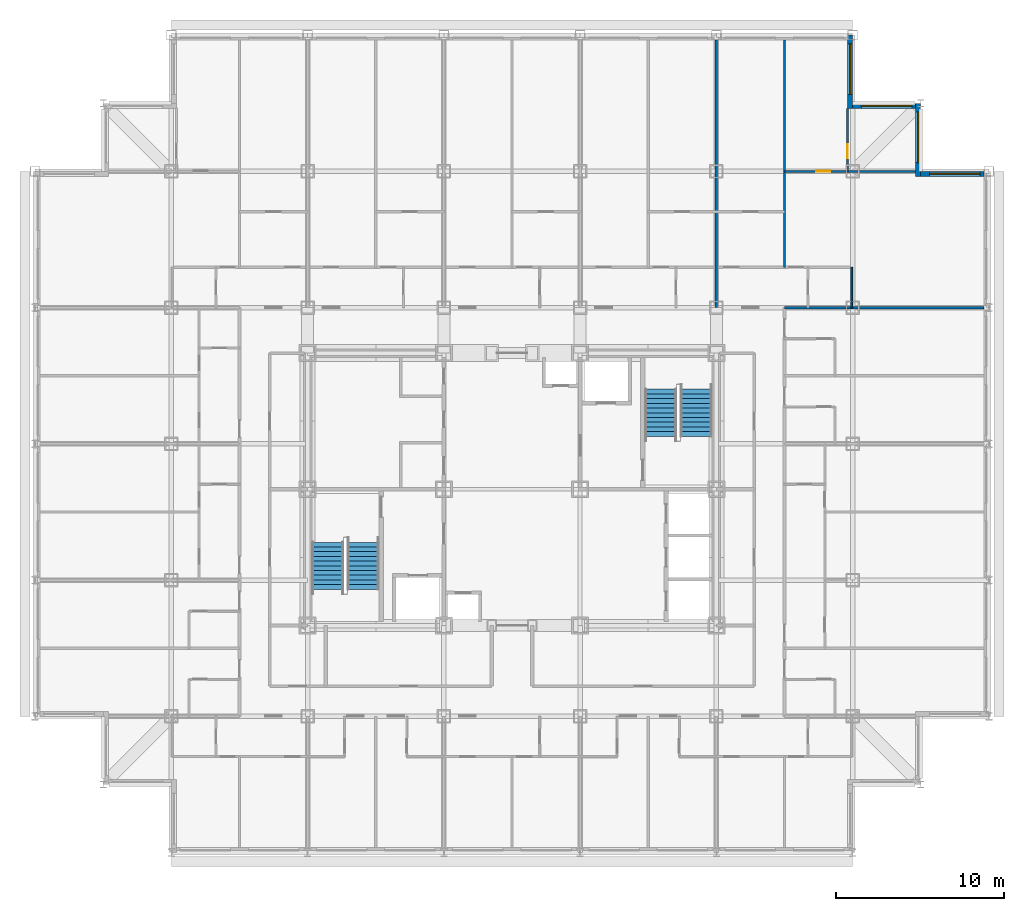
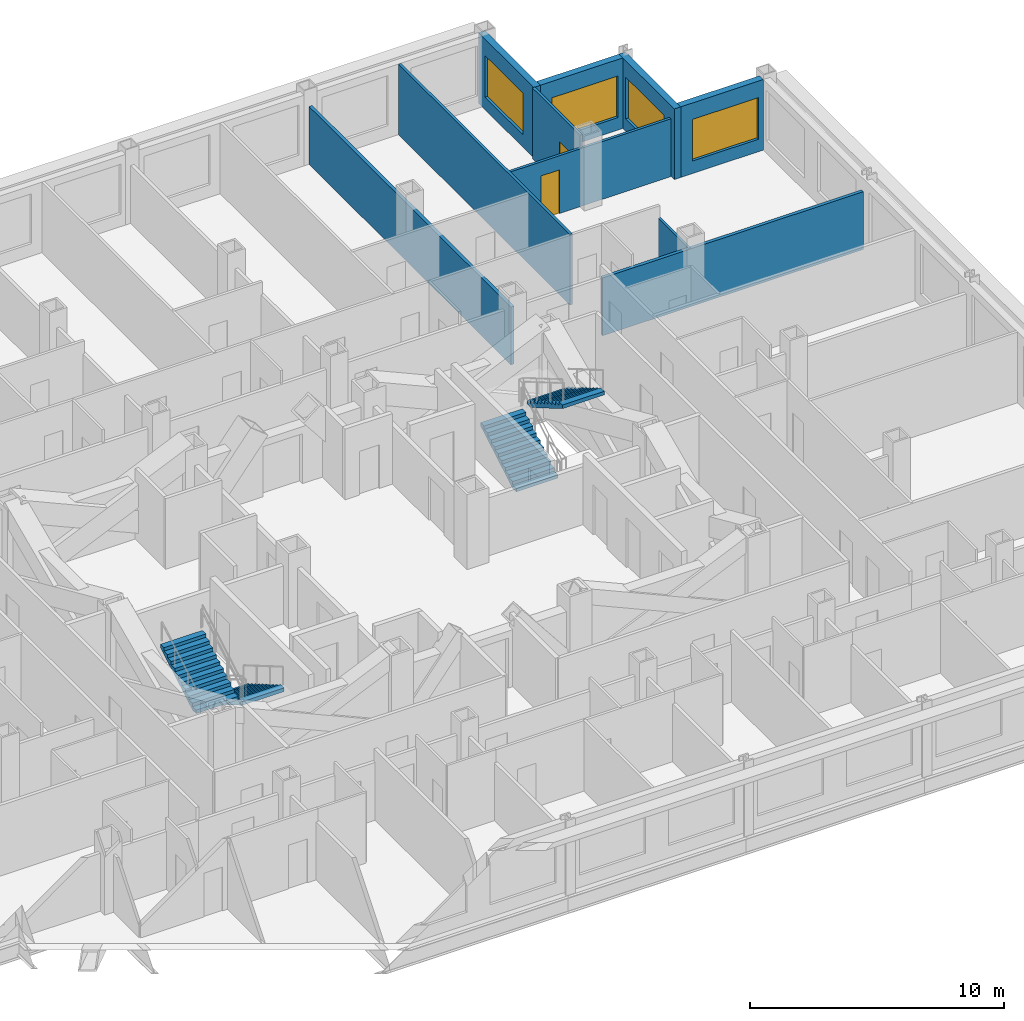
# One storey, part 11 of 12: 10 walls, 4 stair flights, 4 windows, 2 doors, 6 openings, 2 elements without a shape of their own.
"""IFC4 building model written with IfcOpenShell, lengths in metres."""

from ifc_helpers import new_model, si_unit, direction, frame, frame_2d, origin, place, context, subcontext, project, spatial, rectangle, extrude, polygons, source, transform, mapped, material, layer, layer_set, type_object, element, fill, aggregate, save


model = new_model("IFC4")

# Units and contexts
model_context = context("Model", 3, precision=1e-05, world=origin(), true_north=direction((0.0, 1.0)))
body_context = subcontext(model_context, "Body", "Model", "MODEL_VIEW")
ifc_project = project(units=[si_unit("LENGTHUNIT", "METRE"), si_unit("AREAUNIT", "SQUARE_METRE"), si_unit("VOLUMEUNIT", "CUBIC_METRE"), si_unit("PLANEANGLEUNIT", "RADIAN"), si_unit("MASSUNIT", "GRAM", prefix="KILO")], contexts=[model_context])

# Site, building, storey
site_placement = place(None, origin())
site = spatial("IfcSite", under=ifc_project, at=site_placement, CompositionType="ELEMENT")
building_placement = place(site_placement, origin())
building = spatial("IfcBuilding", under=site, at=building_placement, Name="Kopane Lantern Tower", CompositionType="ELEMENT")
storey_placement = place(building_placement, frame((0.0, 0.0, 170.39990234375)))
storey = spatial("IfcBuildingStorey", under=building, at=storey_placement, Name="L43", CompositionType="ELEMENT", Elevation=170.39990234375)

# Wall
ifc_material_1 = material(Name="Gypsum board on steel studs", Category="steel")
ifc_layer_1 = layer(ifc_material_1, 0.1201171875)
ifc_layer_set_1 = layer_set([ifc_layer_1], Name="APARTMENT INTERNAL WALL 120")
wall_type_1 = type_object("IfcWallType", Name="APARTMENT INTERNAL WALL 120", PredefinedType="PARTITIONING", material=ifc_layer_set_1)
wall_1_placement = place(storey_placement, frame((44.550048828125, 45.60009765625, 0.0), z_axis=(0.0, 0.0, 1.0), x_axis=(0.0, 1.0, 0.0)))
element("IfcWall", 1, at=wall_1_placement, inside=storey, type_object=wall_type_1, Name="Apartment Internal Wall 120 L43", PredefinedType="PARTITIONING", context=body_context, shape_type="SweptSolid", body=[
    extrude(rectangle(XDim=13.5, YDim=0.1201171875, at=frame_2d((6.75, 0.0))), origin(), (0.0, 0.0, 1.0), 3.39013671875),
])

# Wall, opening, door
wall_2_placement = place(storey_placement, frame((44.550048828125, 51.300048828125, 0.0), z_axis=(0.0, 0.0, 1.0), x_axis=(1.0, 0.0, 0.0)))
wall_2 = element("IfcWall", 2, at=wall_2_placement, inside=storey, type_object=wall_type_1, Name="Apartment Internal Wall 120 L43", PredefinedType="PARTITIONING", context=body_context, shape_type="SweptSolid", body=[
    extrude(rectangle(XDim=7.800048828125, YDim=0.1201171875, at=frame_2d((3.89990234375, 0.0))), origin(), (0.0, 0.0, 1.0), 2.77783203125),
])
opening_1_placement = place(wall_2_placement, frame((1.875, 0.0, 0.0)))
opening_1 = element("IfcOpeningElement", 3, at=opening_1_placement, cuts=wall_2, Name="Opening L43-066", PredefinedType="OPENING", context=body_context, shape_type="SweptSolid", body=[
    extrude(rectangle(XDim=0.85009765625, YDim=2.10009765625, at=frame_2d((0.425048828125, 1.050048828125))), frame((0.0, 0.070068359375, 0.0), z_axis=(0.0, -1.0, 0.0), x_axis=(1.0, 0.0, 0.0)), (0.0, 0.0, 1.0), 0.14013671875),
])
ifc_material_2 = material(Name="Timber door set", Category="wood")
door_type = type_object("IfcDoorType", Name="DOOR D4 850x2100", OperationType="SINGLE_SWING_LEFT", PredefinedType="DOOR", material=ifc_material_2)
door_1_placement = place(opening_1_placement, origin())
door_1 = element("IfcDoor", 4, at=door_1_placement, inside=storey, type_object=door_type, Name="Door L43-066", OperationType="SINGLE_SWING_RIGHT", OverallHeight=2.10009765625, OverallWidth=0.85009765625, PredefinedType="DOOR", context=body_context, shape_type="SweptSolid", body=[
    extrude(rectangle(XDim=0.85009765625, YDim=2.10009765625, at=frame_2d((0.425048828125, 1.050048828125))), frame((0.0, 0.02490234375, 0.0), z_axis=(0.0, -1.0, 0.0), x_axis=(1.0, 0.0, 0.0)), (0.0, 0.0, 1.0), 0.050048828125),
])
fill(opening_1, door_1)

wall_3_placement = place(storey_placement, frame((48.300048828125, 51.300048828125, 0.0), z_axis=(0.0, 0.0, 1.0), x_axis=(0.0, 1.0, 0.0)))
wall_3 = element("IfcWall", 5, at=wall_3_placement, inside=storey, type_object=wall_type_1, Name="Apartment Internal Wall 120 L43", PredefinedType="PARTITIONING", context=body_context, shape_type="SweptSolid", body=[
    extrude(rectangle(XDim=3.75, YDim=0.1201171875, at=frame_2d((1.875, 0.0))), origin(), (0.0, 0.0, 1.0), 3.39013671875),
])
opening_2_placement = place(wall_3_placement, frame((0.77490234375, 0.0, 0.0)))
opening_2 = element("IfcOpeningElement", 6, at=opening_2_placement, cuts=wall_3, Name="Opening L43-072", PredefinedType="OPENING", context=body_context, shape_type="SweptSolid", body=[
    extrude(rectangle(XDim=0.85009765625, YDim=2.10009765625, at=frame_2d((0.425048828125, 1.050048828125))), frame((0.0, 0.070068359375, 0.0), z_axis=(0.0, -1.0, 0.0), x_axis=(1.0, 0.0, 0.0)), (0.0, 0.0, 1.0), 0.14013671875),
])
door_2_placement = place(opening_2_placement, origin())
door_2 = element("IfcDoor", 7, at=door_2_placement, inside=storey, type_object=door_type, Name="Door L43-072", OperationType="SINGLE_SWING_RIGHT", OverallHeight=2.10009765625, OverallWidth=0.85009765625, PredefinedType="DOOR", context=body_context, shape_type="SweptSolid", body=[
    extrude(rectangle(XDim=0.85009765625, YDim=2.10009765625, at=frame_2d((0.425048828125, 1.050048828125))), frame((0.0, 0.02490234375, 0.0), z_axis=(0.0, -1.0, 0.0), x_axis=(1.0, 0.0, 0.0)), (0.0, 0.0, 1.0), 0.050048828125),
])
fill(opening_2, door_2)

# Walls
ifc_material_3 = material(Name="Moisture-resistant board on steel studs", Category="steel")
ifc_layer_2 = layer(ifc_material_3, 0.10009765625)
ifc_layer_set_2 = layer_set([ifc_layer_2], Name="BATHROOM WALL 100")
wall_type_2 = type_object("IfcWallType", Name="BATHROOM WALL 100", PredefinedType="PARTITIONING", material=ifc_layer_set_2)
wall_4_placement = place(storey_placement, frame((48.550048828125, 43.199951171875, 0.0), z_axis=(0.0, 0.0, 1.0), x_axis=(0.0, 1.0, 0.0)))
element("IfcWall", 8, at=wall_4_placement, inside=storey, type_object=wall_type_2, Name="Bathroom Wall 100 L43", PredefinedType="PARTITIONING", context=body_context, shape_type="SweptSolid", body=[
    extrude(rectangle(XDim=2.400146484375, YDim=0.10009765625, at=frame_2d((1.2001953125, 0.0))), origin(), (0.0, 0.0, 1.0), 2.77783203125),
])
ifc_material_4 = material(Name="Gypsum board on steel studs", Category="steel")
ifc_layer_3 = layer(ifc_material_4, 0.14990234375)
ifc_layer_set_3 = layer_set([ifc_layer_3], Name="DEMISING WALL 150 EI 60")
wall_type_3 = type_object("IfcWallType", Name="DEMISING WALL 150 EI 60", PredefinedType="PARTITIONING", material=ifc_layer_set_3)
wall_5_placement = place(storey_placement, frame((44.550048828125, 43.199951171875, 0.0), z_axis=(0.0, 0.0, 1.0), x_axis=(1.0, 0.0, 0.0)))
element("IfcWall", 9, at=wall_5_placement, inside=storey, type_object=wall_type_3, Name="Demising Wall 150 Ei 60 L43", PredefinedType="PARTITIONING", context=body_context, shape_type="SweptSolid", body=[
    extrude(rectangle(XDim=11.849853515625, YDim=0.14990234375, at=frame_2d((5.9248046875, 0.0))), origin(), (0.0, 0.0, 1.0), 2.77783203125),
])
wall_6_placement = place(storey_placement, frame((40.5, 43.199951171875, 0.0), z_axis=(0.0, 0.0, 1.0), x_axis=(0.0, 1.0, 0.0)))
element("IfcWall", 10, at=wall_6_placement, inside=storey, type_object=wall_type_3, Name="Demising Wall 150 Ei 60 L43", PredefinedType="PARTITIONING", context=body_context, shape_type="SweptSolid", body=[
    extrude(rectangle(XDim=15.900146484375, YDim=0.14990234375, at=frame_2d((7.9501953125, 0.0))), origin(), (0.0, 0.0, 1.0), 2.77783203125),
])

# Wall, opening, window
ifc_material_5 = material(Name="Terracotta rainscreen on light steel framing", Category="masonry")
ifc_layer_4 = layer(ifc_material_5, 0.300048828125)
ifc_layer_set_4 = layer_set([ifc_layer_4], Name="EXTERNAL WALL EW1 300 TERRACOTTA")
wall_type_4 = type_object("IfcWallType", Name="EXTERNAL WALL EW1 300 TERRACOTTA", PredefinedType="SOLIDWALL", material=ifc_layer_set_4)
wall_7_placement = place(storey_placement, frame((56.39990234375, 51.14990234375, 0.0), z_axis=(0.0, 0.0, 1.0), x_axis=(-1.0, 0.0, 0.0)))
wall_7 = element("IfcWall", 11, at=wall_7_placement, inside=storey, type_object=wall_type_4, Name="External wall N L43", PredefinedType="SOLIDWALL", context=body_context, shape_type="SweptSolid", body=[
    extrude(rectangle(XDim=3.75, YDim=0.300048828125, at=frame_2d((1.875, 0.0))), origin(), (0.0, 0.0, 1.0), 3.39013671875),
])
opening_3_placement = place(wall_7_placement, frame((0.22509765625, 0.0, 0.60009765625)))
opening_3 = element("IfcOpeningElement", 12, at=opening_3_placement, cuts=wall_7, Name="Opening WR300200", PredefinedType="OPENING", context=body_context, shape_type="SweptSolid", body=[
    extrude(rectangle(XDim=3.0, YDim=2.0, at=frame_2d((1.5, 1.0))), frame((0.0, 0.159912109375, 0.0), z_axis=(0.0, -1.0, 0.0), x_axis=(1.0, 0.0, 0.0)), (0.0, 0.0, 1.0), 0.320068359375),
])
ifc_material_6 = material(Name="Aluminium and clear glass", Category="aluminium")
window_type = type_object("IfcWindowType", Name="RIBBON WINDOW WR300200 3000x2000", PartitioningType="SINGLE_PANEL", PredefinedType="WINDOW", material=ifc_material_6)
window_1_placement = place(opening_3_placement, origin())
window_1 = element("IfcWindow", 13, at=window_1_placement, inside=storey, type_object=window_type, Name="Window N L43", OverallHeight=2.0, OverallWidth=3.0, PartitioningType="SINGLE_PANEL", PredefinedType="WINDOW", context=body_context, shape_type="SweptSolid", body=[
    extrude(rectangle(XDim=3.0, YDim=2.0, at=frame_2d((1.5, 1.0))), frame((0.0, 0.030029296875, 0.0), z_axis=(0.0, -1.0, 0.0), x_axis=(1.0, 0.0, 0.0)), (0.0, 0.0, 1.0), 0.06005859375),
])
fill(opening_3, window_1)

wall_8_placement = place(storey_placement, frame((52.5, 51.0, 0.0), z_axis=(0.0, 0.0, 1.0), x_axis=(0.0, 1.0, 0.0)))
wall_8 = element("IfcWall", 14, at=wall_8_placement, inside=storey, type_object=wall_type_4, Name="External wall E L43", PredefinedType="SOLIDWALL", context=body_context, shape_type="SweptSolid", body=[
    extrude(rectangle(XDim=4.35009765625, YDim=0.300048828125, at=frame_2d((2.175048828125, 0.0))), origin(), (0.0, 0.0, 1.0), 3.39013671875),
])
opening_4_placement = place(wall_8_placement, frame((0.824951171875, 0.0, 0.60009765625)))
opening_4 = element("IfcOpeningElement", 15, at=opening_4_placement, cuts=wall_8, Name="Opening WR300200", PredefinedType="OPENING", context=body_context, shape_type="SweptSolid", body=[
    extrude(rectangle(XDim=3.0, YDim=2.0, at=frame_2d((1.5, 1.0))), frame((0.0, 0.159912109375, 0.0), z_axis=(0.0, -1.0, 0.0), x_axis=(1.0, 0.0, 0.0)), (0.0, 0.0, 1.0), 0.320068359375),
])
window_2_placement = place(opening_4_placement, origin())
window_2 = element("IfcWindow", 16, at=window_2_placement, inside=storey, type_object=window_type, Name="Window E L43", OverallHeight=2.0, OverallWidth=3.0, PartitioningType="SINGLE_PANEL", PredefinedType="WINDOW", context=body_context, shape_type="SweptSolid", body=[
    extrude(rectangle(XDim=3.0, YDim=2.0, at=frame_2d((1.5, 1.0))), frame((0.0, 0.030029296875, 0.0), z_axis=(0.0, -1.0, 0.0), x_axis=(1.0, 0.0, 0.0)), (0.0, 0.0, 1.0), 0.06005859375),
])
fill(opening_4, window_2)

wall_9_placement = place(storey_placement, frame((52.35009765625, 55.199951171875, 0.0), z_axis=(0.0, 0.0, 1.0), x_axis=(-1.0, 0.0, 0.0)))
wall_9 = element("IfcWall", 17, at=wall_9_placement, inside=storey, type_object=wall_type_4, Name="External wall N L43", PredefinedType="SOLIDWALL", context=body_context, shape_type="SweptSolid", body=[
    extrude(rectangle(XDim=3.75, YDim=0.300048828125, at=frame_2d((1.875, 0.0))), origin(), (0.0, 0.0, 1.0), 3.39013671875),
])
opening_5_placement = place(wall_9_placement, frame((0.22509765625, 0.0, 0.60009765625)))
opening_5 = element("IfcOpeningElement", 18, at=opening_5_placement, cuts=wall_9, Name="Opening WR300200", PredefinedType="OPENING", context=body_context, shape_type="SweptSolid", body=[
    extrude(rectangle(XDim=3.0, YDim=2.0, at=frame_2d((1.5, 1.0))), frame((0.0, 0.159912109375, 0.0), z_axis=(0.0, -1.0, 0.0), x_axis=(1.0, 0.0, 0.0)), (0.0, 0.0, 1.0), 0.320068359375),
])
window_3_placement = place(opening_5_placement, origin())
window_3 = element("IfcWindow", 19, at=window_3_placement, inside=storey, type_object=window_type, Name="Window N L43", OverallHeight=2.0, OverallWidth=3.0, PartitioningType="SINGLE_PANEL", PredefinedType="WINDOW", context=body_context, shape_type="SweptSolid", body=[
    extrude(rectangle(XDim=3.0, YDim=2.0, at=frame_2d((1.5, 1.0))), frame((0.0, 0.030029296875, 0.0), z_axis=(0.0, -1.0, 0.0), x_axis=(1.0, 0.0, 0.0)), (0.0, 0.0, 1.0), 0.06005859375),
])
fill(opening_5, window_3)

wall_10_placement = place(storey_placement, frame((48.449951171875, 55.050048828125, 0.0), z_axis=(0.0, 0.0, 1.0), x_axis=(0.0, 1.0, 0.0)))
wall_10 = element("IfcWall", 20, at=wall_10_placement, inside=storey, type_object=wall_type_4, Name="External wall E L43", PredefinedType="SOLIDWALL", context=body_context, shape_type="SweptSolid", body=[
    extrude(rectangle(XDim=4.349853515625, YDim=0.300048828125, at=frame_2d((2.1748046875, 0.0))), origin(), (0.0, 0.0, 1.0), 3.39013671875),
])
opening_6_placement = place(wall_10_placement, frame((0.824951171875, 0.0, 0.60009765625)))
opening_6 = element("IfcOpeningElement", 21, at=opening_6_placement, cuts=wall_10, Name="Opening WR300200", PredefinedType="OPENING", context=body_context, shape_type="SweptSolid", body=[
    extrude(rectangle(XDim=3.0, YDim=2.0, at=frame_2d((1.5, 1.0))), frame((0.0, 0.159912109375, 0.0), z_axis=(0.0, -1.0, 0.0), x_axis=(1.0, 0.0, 0.0)), (0.0, 0.0, 1.0), 0.320068359375),
])
window_4_placement = place(opening_6_placement, origin())
window_4 = element("IfcWindow", 22, at=window_4_placement, inside=storey, type_object=window_type, Name="Window E L43", OverallHeight=2.0, OverallWidth=3.0, PartitioningType="SINGLE_PANEL", PredefinedType="WINDOW", context=body_context, shape_type="SweptSolid", body=[
    extrude(rectangle(XDim=3.0, YDim=2.0, at=frame_2d((1.5, 1.0))), frame((0.0, 0.030029296875, 0.0), z_axis=(0.0, -1.0, 0.0), x_axis=(1.0, 0.0, 0.0)), (0.0, 0.0, 1.0), 0.06005859375),
])
fill(opening_6, window_4)

# Stair, stair flights
ifc_material_7 = material(Name="Steel S355JR", Category="steel")
stair_type = type_object("IfcStairType", Name="EXIT STAIR 1900 HALF TURN", PredefinedType="HALF_TURN_STAIR", material=ifc_material_7)
stair_1_placement = place(storey_placement, origin())
stair_1 = element("IfcStair", 23, at=stair_1_placement, inside=storey, type_object=stair_type, Name="Exit stair ST1 L43", PredefinedType="HALF_TURN_STAIR")
ifc_material_8 = material(Name="Steel S355JR", Category="steel")
stair_flight_type = type_object("IfcStairFlightType", Name="STAIR FLIGHT 1900 STEEL", PredefinedType="STRAIGHT", material=ifc_material_8)
shared_shape = source(origin(), body_context, "Body", "Tessellation", [
    polygons([(2.800048828, 0.949951172, 1.636474609), (2.520019531, 0.949951172, 1.636474609), (2.520019531, -0.949951172, 1.636474609), (2.800048828, -0.949951172, 1.636474609), (0.297119141, 0.949951172, 0.0), (2.800048828, 0.949951172, 1.462646484), (2.800048828, -0.949951172, 1.462646484), (0.297119141, -0.949951172, 0.0), (0.0, 0.949951172, 0.0), (0.0, -0.949951172, 0.0), (0.280029297, 0.949951172, 0.163574219), (0.0, 0.949951172, 0.163574219), (0.0, -0.949951172, 0.163574219), (0.280029297, -0.949951172, 0.163574219), (0.280029297, 0.949951172, 0.327392578), (0.280029297, -0.949951172, 0.327392578), (0.560058594, 0.949951172, 0.327392578), (0.560058594, -0.949951172, 0.327392578), (0.560058594, 0.949951172, 0.490966797), (0.560058594, -0.949951172, 0.490966797), (0.840087891, 0.949951172, 0.490966797), (0.840087891, -0.949951172, 0.490966797), (0.840087891, 0.949951172, 0.654541016), (0.840087891, -0.949951172, 0.654541016), (1.120117188, 0.949951172, 0.654541016), (1.120117188, -0.949951172, 0.654541016), (1.120117188, 0.949951172, 0.818115234), (1.120117188, -0.949951172, 0.818115234), (1.399902344, 0.949951172, 0.818115234), (1.399902344, -0.949951172, 0.818115234), (1.399902344, 0.949951172, 0.981933594), (1.399902344, -0.949951172, 0.981933594), (1.679931641, 0.949951172, 0.981933594), (1.679931641, -0.949951172, 0.981933594), (1.679931641, 0.949951172, 1.145507812), (1.679931641, -0.949951172, 1.145507812), (1.959960938, 0.949951172, 1.145507812), (1.959960938, -0.949951172, 1.145507812), (1.959960938, 0.949951172, 1.309082031), (1.959960938, -0.949951172, 1.309082031), (2.239990234, 0.949951172, 1.309082031), (2.239990234, -0.949951172, 1.309082031), (2.239990234, 0.949951172, 1.47265625), (2.239990234, -0.949951172, 1.47265625), (2.520019531, 0.949951172, 1.47265625), (2.520019531, -0.949951172, 1.47265625), (0.0, 0.0, 0.004420925), (0.0, 0.0, 0.00884185), (0.0, 0.0, 0.013262774), (0.0, 0.0, 0.017683699), (0.0, 0.0, 0.022104624), (0.0, 0.0, 0.026525549), (0.0, 0.0, 0.030946474), (0.0, 0.0, 0.035367399), (0.0, 0.0, 0.039788323), (0.0, 0.0, 0.044209248), (0.0, 0.0, 0.048630173), (0.0, 0.0, 0.053051098), (0.0, 0.0, 0.057472023), (0.0, 0.0, 0.061892948), (0.0, 0.0, 0.066313872), (0.0, 0.0, 0.070734797), (0.0, 0.0, 0.075155722), (0.0, 0.0, 0.079576647), (0.0, 0.0, 0.083997572), (0.0, 0.0, 0.088418497), (0.0, 0.0, 0.092839421), (0.0, 0.0, 0.097260346), (0.0, 0.0, 0.101681271), (0.0, 0.0, 0.106102196), (0.0, 0.0, 0.110523121), (0.0, 0.0, 0.114944046), (0.0, 0.0, 0.11936497), (0.0, 0.0, 0.123785895), (0.0, 0.0, 0.12820682), (0.0, 0.0, 0.132627745), (0.0, 0.0, 0.13704867), (0.0, 0.0, 0.141469595), (0.0, 0.0, 0.145890519), (0.0, 0.0, 0.150311444), (0.0, 0.0, 0.154732369), (0.0, 0.0, 0.159153294), (2.800048828, 0.0, 1.467344542), (2.800048828, 0.0, 1.472042599), (2.800048828, 0.0, 1.476740657), (2.800048828, 0.0, 1.481438714), (2.800048828, 0.0, 1.486136772), (2.800048828, 0.0, 1.490834829), (2.800048828, 0.0, 1.495532886), (2.800048828, 0.0, 1.500230944), (2.800048828, 0.0, 1.504929001), (2.800048828, 0.0, 1.509627059), (2.800048828, 0.0, 1.514325116), (2.800048828, 0.0, 1.519023174), (2.800048828, 0.0, 1.523721231), (2.800048828, 0.0, 1.528419288), (2.800048828, 0.0, 1.533117346), (2.800048828, 0.0, 1.537815403), (2.800048828, 0.0, 1.542513461), (2.800048828, 0.0, 1.547211518), (2.800048828, 0.0, 1.551909576), (2.800048828, 0.0, 1.556607633), (2.800048828, 0.0, 1.56130569), (2.800048828, 0.0, 1.566003748), (2.800048828, 0.0, 1.570701805), (2.800048828, 0.0, 1.575399863), (2.800048828, 0.0, 1.58009792), (2.800048828, 0.0, 1.584795978), (2.800048828, 0.0, 1.589494035), (2.800048828, 0.0, 1.594192092), (2.800048828, 0.0, 1.59889015), (2.800048828, 0.0, 1.603588207), (2.800048828, 0.0, 1.608286265), (2.800048828, 0.0, 1.612984322), (2.800048828, 0.0, 1.61768238), (2.800048828, 0.0, 1.622380437), (2.800048828, 0.0, 1.627078495), (2.800048828, 0.0, 1.631776552)], [[[1, 2, 3]], [[1, 3, 4]], [[5, 6, 7]], [[5, 7, 8]], [[9, 5, 8]], [[9, 8, 10]], [[11, 12, 13]], [[11, 13, 14]], [[15, 11, 14]], [[15, 14, 16]], [[17, 15, 16]], [[17, 16, 18]], [[19, 17, 18]], [[19, 18, 20]], [[21, 19, 20]], [[21, 20, 22]], [[23, 21, 22]], [[23, 22, 24]], [[25, 23, 24]], [[25, 24, 26]], [[27, 25, 26]], [[27, 26, 28]], [[29, 27, 28]], [[29, 28, 30]], [[31, 29, 30]], [[31, 30, 32]], [[33, 31, 32]], [[33, 32, 34]], [[35, 33, 34]], [[35, 34, 36]], [[37, 35, 36]], [[37, 36, 38]], [[39, 37, 38]], [[39, 38, 40]], [[41, 39, 40]], [[41, 40, 42]], [[43, 41, 42]], [[43, 42, 44]], [[45, 43, 44]], [[45, 44, 46]], [[2, 45, 46]], [[2, 46, 3]], [[45, 1, 6]], [[41, 45, 6]], [[2, 1, 45]], [[37, 41, 6]], [[43, 45, 41]], [[39, 41, 37]], [[35, 37, 33]], [[31, 33, 29]], [[27, 29, 25]], [[5, 21, 25]], [[17, 21, 5]], [[23, 25, 21]], [[11, 17, 5]], [[19, 21, 17]], [[9, 11, 5]], [[15, 17, 11]], [[12, 11, 9]], [[6, 5, 25]], [[6, 25, 29]], [[6, 29, 33]], [[6, 33, 37]], [[7, 4, 46]], [[7, 46, 42]], [[46, 4, 3]], [[7, 42, 38]], [[42, 46, 44]], [[38, 42, 40]], [[34, 38, 36]], [[30, 34, 32]], [[26, 30, 28]], [[26, 22, 8]], [[8, 22, 18]], [[22, 26, 24]], [[8, 18, 14]], [[18, 22, 20]], [[8, 14, 10]], [[14, 18, 16]], [[10, 14, 13]], [[26, 8, 7]], [[30, 26, 7]], [[34, 30, 7]], [[38, 34, 7]], [[10, 47, 9]], [[10, 48, 47]], [[9, 47, 48]], [[10, 49, 48]], [[9, 48, 49]], [[10, 50, 49]], [[9, 49, 50]], [[10, 51, 50]], [[9, 50, 51]], [[10, 52, 51]], [[9, 51, 52]], [[10, 53, 52]], [[9, 52, 53]], [[10, 54, 53]], [[9, 53, 54]], [[10, 55, 54]], [[9, 54, 55]], [[10, 56, 55]], [[9, 55, 56]], [[10, 57, 56]], [[9, 56, 57]], [[10, 58, 57]], [[9, 57, 58]], [[10, 59, 58]], [[9, 58, 59]], [[10, 60, 59]], [[9, 59, 60]], [[10, 61, 60]], [[9, 60, 61]], [[10, 62, 61]], [[9, 61, 62]], [[10, 63, 62]], [[9, 62, 63]], [[10, 64, 63]], [[9, 63, 64]], [[10, 65, 64]], [[9, 64, 65]], [[10, 66, 65]], [[9, 65, 66]], [[10, 67, 66]], [[9, 66, 67]], [[10, 68, 67]], [[9, 67, 68]], [[10, 69, 68]], [[9, 68, 69]], [[10, 70, 69]], [[9, 69, 70]], [[10, 71, 70]], [[9, 70, 71]], [[10, 72, 71]], [[9, 71, 72]], [[10, 73, 72]], [[9, 72, 73]], [[10, 74, 73]], [[9, 73, 74]], [[10, 75, 74]], [[9, 74, 75]], [[10, 76, 75]], [[9, 75, 76]], [[10, 77, 76]], [[9, 76, 77]], [[10, 78, 77]], [[9, 77, 78]], [[10, 79, 78]], [[9, 78, 79]], [[10, 80, 79]], [[9, 79, 80]], [[10, 81, 80]], [[9, 80, 81]], [[10, 82, 81]], [[9, 81, 82]], [[10, 13, 82]], [[82, 13, 12]], [[9, 82, 12]], [[7, 6, 83]], [[7, 83, 84]], [[6, 84, 83]], [[7, 84, 85]], [[6, 85, 84]], [[7, 85, 86]], [[6, 86, 85]], [[7, 86, 87]], [[6, 87, 86]], [[7, 87, 88]], [[6, 88, 87]], [[7, 88, 89]], [[6, 89, 88]], [[7, 89, 90]], [[6, 90, 89]], [[7, 90, 91]], [[6, 91, 90]], [[7, 91, 92]], [[6, 92, 91]], [[7, 92, 93]], [[6, 93, 92]], [[7, 93, 94]], [[6, 94, 93]], [[7, 94, 95]], [[6, 95, 94]], [[7, 95, 96]], [[6, 96, 95]], [[7, 96, 97]], [[6, 97, 96]], [[7, 97, 98]], [[6, 98, 97]], [[7, 98, 99]], [[6, 99, 98]], [[7, 99, 100]], [[6, 100, 99]], [[7, 100, 101]], [[6, 101, 100]], [[7, 101, 102]], [[6, 102, 101]], [[7, 102, 103]], [[6, 103, 102]], [[7, 103, 104]], [[6, 104, 103]], [[7, 104, 105]], [[6, 105, 104]], [[7, 105, 106]], [[6, 106, 105]], [[7, 106, 107]], [[6, 107, 106]], [[7, 107, 108]], [[6, 108, 107]], [[7, 108, 109]], [[6, 109, 108]], [[7, 109, 110]], [[6, 110, 109]], [[7, 110, 111]], [[6, 111, 110]], [[7, 111, 112]], [[6, 112, 111]], [[7, 112, 113]], [[6, 113, 112]], [[7, 113, 114]], [[6, 114, 113]], [[7, 114, 115]], [[6, 115, 114]], [[7, 115, 116]], [[6, 116, 115]], [[7, 116, 117]], [[6, 117, 116]], [[7, 117, 118]], [[6, 118, 117]], [[7, 118, 4]], [[118, 1, 4]], [[6, 1, 118]]], closed=True),
])
stair_flight_1_placement = place(storey_placement, frame((19.5, 29.25, 0.0), z_axis=(0.0, 0.0, 1.0), x_axis=(0.0, -1.0, 0.0)))
stair_flight_1 = element("IfcStairFlight", 24, at=stair_flight_1_placement, type_object=stair_flight_type, Name="ST1 flight 1", NumberOfRisers=11, NumberOfTreads=10, PredefinedType="STRAIGHT", RiserHeight=0.163636364, TreadLength=0.28, context=body_context, shape_type="MappedRepresentation", body=[
    mapped(shared_shape, transform((0.0, 0.0, 0.0))),
])
stair_flight_2_placement = place(storey_placement, frame((17.39990234375, 26.449951171875, 1.800048828125), z_axis=(0.0, 0.0, 1.0), x_axis=(0.0, 1.0, 0.0)))
stair_flight_2 = element("IfcStairFlight", 25, at=stair_flight_2_placement, type_object=stair_flight_type, Name="ST1 flight 2", NumberOfRisers=11, NumberOfTreads=10, PredefinedType="STRAIGHT", RiserHeight=0.163636364, TreadLength=0.28, context=body_context, shape_type="MappedRepresentation", body=[
    mapped(shared_shape, transform((0.0, 0.0, 0.0))),
])
aggregate(stair_1, [stair_flight_1, stair_flight_2])

stair_2_placement = place(storey_placement, origin())
stair_2 = element("IfcStair", 26, at=stair_2_placement, inside=storey, type_object=stair_type, Name="Exit stair ST2 L43", PredefinedType="HALF_TURN_STAIR")
stair_flight_3_placement = place(storey_placement, frame((37.199951171875, 35.550048828125, 0.0), z_axis=(0.0, 0.0, 1.0), x_axis=(0.0, 1.0, 0.0)))
stair_flight_3 = element("IfcStairFlight", 27, at=stair_flight_3_placement, type_object=stair_flight_type, Name="ST2 flight 1", NumberOfRisers=11, NumberOfTreads=10, PredefinedType="STRAIGHT", RiserHeight=0.163636364, TreadLength=0.28, context=body_context, shape_type="MappedRepresentation", body=[
    mapped(shared_shape, transform((0.0, 0.0, 0.0))),
])
stair_flight_4_placement = place(storey_placement, frame((39.300048828125, 38.35009765625, 1.800048828125), z_axis=(0.0, 0.0, 1.0), x_axis=(0.0, -1.0, 0.0)))
stair_flight_4 = element("IfcStairFlight", 28, at=stair_flight_4_placement, type_object=stair_flight_type, Name="ST2 flight 2", NumberOfRisers=11, NumberOfTreads=10, PredefinedType="STRAIGHT", RiserHeight=0.163636364, TreadLength=0.28, context=body_context, shape_type="MappedRepresentation", body=[
    mapped(shared_shape, transform((0.0, 0.0, 0.0))),
])
aggregate(stair_2, [stair_flight_3, stair_flight_4])

save(model, "model.ifc")
